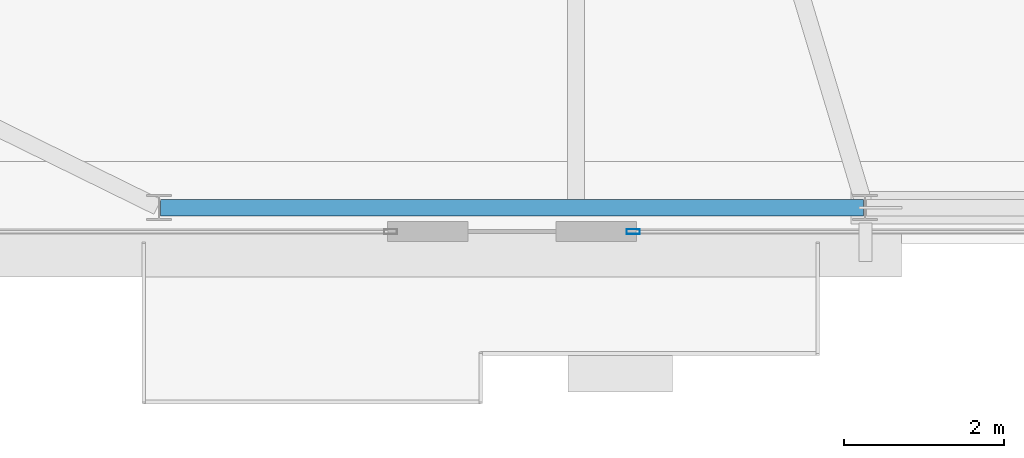
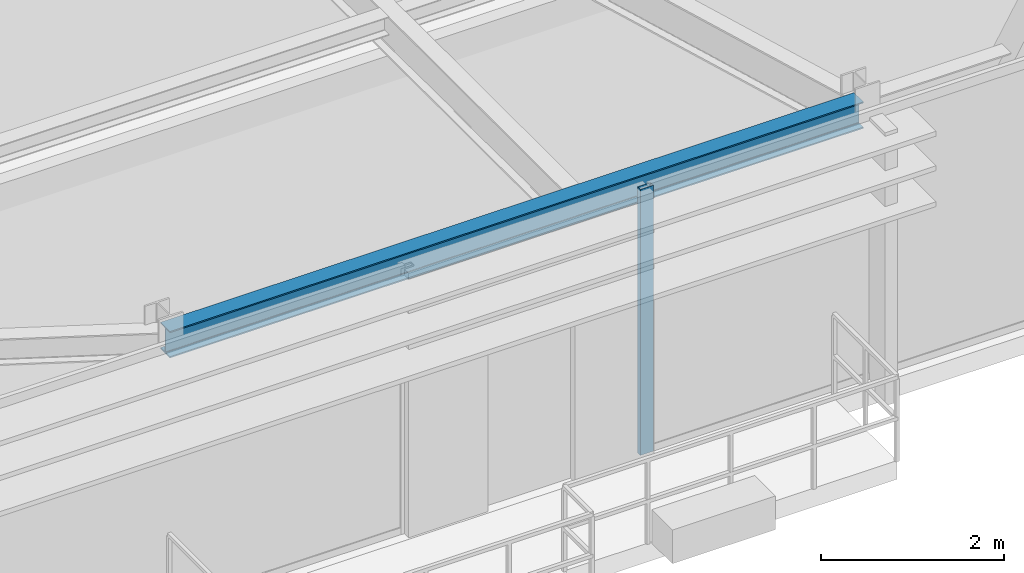
# One storey, part 5 of 25: 1 beam, 1 member, 1 element without a shape of its own.
"""IFC4 building model written with IfcOpenShell, lengths in metres."""

from ifc_helpers import new_model, si_unit, direction, frame, origin, origin_2d, place, context, subcontext, project, spatial, hollow_rectangle, i_section, extrude, source, transform, mapped, material, layer, layer_set, material_profile, profile_set, type_object, type_shapes, element, aggregate, save


model = new_model("IFC4")

# Units and contexts
model_context = context("Model", 3, precision=1e-05, world=origin(), true_north=direction((0.0, 1.0)))
body_context = subcontext(model_context, "Body", "Model", "MODEL_VIEW")
ifc_project = project(units=[si_unit("LENGTHUNIT", "METRE"), si_unit("AREAUNIT", "SQUARE_METRE"), si_unit("VOLUMEUNIT", "CUBIC_METRE"), si_unit("PLANEANGLEUNIT", "RADIAN"), si_unit("MASSUNIT", "GRAM", prefix="KILO")], contexts=[model_context])

# Site, building, storey
site_placement = place(None, origin())
site = spatial("IfcSite", under=ifc_project, at=site_placement, CompositionType="ELEMENT")
building_placement = place(site_placement, origin())
building = spatial("IfcBuilding", under=site, at=building_placement, Name="Varnel Quay Broadcast Tower", CompositionType="ELEMENT")
storey_placement = place(building_placement, frame((0.0, 0.0, 273.60009765625)))
storey = spatial("IfcBuildingStorey", under=building, at=storey_placement, Name="L68", CompositionType="ELEMENT", Elevation=273.60009765625)

# Beam
ifc_material_1 = material(Name="Structural Steel CSA G40.21 350W", Category="steel")
ifc_material_profile_1 = material_profile(ifc_material_1, i_section(OverallWidth=0.205078125, OverallDepth=0.35400390625, WebThickness=0.009521484375, FlangeThickness=0.016845703125, FilletRadius=0.012939453125, at=origin_2d()), Name="W360X79")
ifc_profile_set_1 = profile_set([ifc_material_profile_1], Name="Structural Steel CSA G40.21 350W")
beam_type = type_object("IfcBeamType", Name="Beam_W360X79", PredefinedType="SPANDREL", material=ifc_profile_set_1)
shared_shape_1 = source(origin(), body_context, "Body", "SweptSolid", [
    extrude(i_section(OverallWidth=0.205078125, OverallDepth=0.35400390625, WebThickness=0.009521484375, FlangeThickness=0.016845703125, FilletRadius=0.012939453125, at=origin_2d()), origin(), (0.0, 0.0, 1.0), 8.760009765625),
])
type_shapes(beam_type, [shared_shape_1])
beam_placement = place(storey_placement, frame((20.820068359375, 13.64990234375, 3.372802734375), z_axis=(1.0, 0.0, 0.0), x_axis=(0.0, 1.0, 0.0)))
element("IfcBeam", 1, at=beam_placement, inside=storey, type_object=beam_type, Name="L68 South Spandrel TC-S1-TC-S2", PredefinedType="SPANDREL", context=body_context, shape_type="MappedRepresentation", body=[
    mapped(shared_shape_1, transform((0.0, 0.0, 0.0), x_axis=(1.0, 0.0, 0.0), y_axis=(0.0, 1.0, 0.0), z_axis=(0.0, 0.0, 1.0), scale=1.0)),
])

# Curtain wall, member
ifc_material_2 = material(Name="Anodised Bronze Aluminium 6063-T6", Category="aluminium")
ifc_layer = layer(ifc_material_2, 0.18994140625, Name="Anodised Bronze Aluminium 6063-T6")
ifc_layer_set = layer_set([ifc_layer], Name="Anodised Bronze Aluminium 6063-T6")
curtain_wall_type = type_object("IfcCurtainWallType", Name="CW_UpperTower", PredefinedType="NOTDEFINED", material=ifc_layer_set)
curtain_wall_placement = place(storey_placement, origin())
curtain_wall = element("IfcCurtainWall", 2, at=curtain_wall_placement, inside=storey, type_object=curtain_wall_type, Name="L68 South Unitised Curtain Wall 2", PredefinedType="NOTDEFINED")
ifc_material_profile_2 = material_profile(ifc_material_2, hollow_rectangle(XDim=0.06494140625, YDim=0.1650390625, WallThickness=0.00341796875, at=origin_2d()), Name="ALU65X165X3.5")
ifc_profile_set_2 = profile_set([ifc_material_profile_2], Name="Anodised Bronze Aluminium 6063-T6")
member_type = type_object("IfcMemberType", Name="Mull_CWS-03", PredefinedType="MULLION", material=ifc_profile_set_2)
shared_shape_2 = source(origin(), body_context, "Body", "SweptSolid", [
    extrude(hollow_rectangle(XDim=0.06494140625, YDim=0.1650390625, WallThickness=0.00341796875, at=origin_2d()), origin(), (0.0, 0.0, 1.0), 3.5498046875),
])
type_shapes(member_type, [shared_shape_2])
member_placement = place(storey_placement, frame((26.71240234375, 13.35009765625, 0.0), z_axis=(0.0, 0.0, 1.0), x_axis=(0.0, 1.0, 0.0)))
member = element("IfcMember", 3, at=member_placement, type_object=member_type, Name="CWS-03 mullion 1", PredefinedType="MULLION", context=body_context, shape_type="MappedRepresentation", body=[
    mapped(shared_shape_2, transform((0.0, 0.0, 0.0), x_axis=(1.0, 0.0, 0.0), y_axis=(0.0, 1.0, 0.0), z_axis=(0.0, 0.0, 1.0), scale=1.0)),
])
aggregate(curtain_wall, [member])

save(model, "model.ifc")
